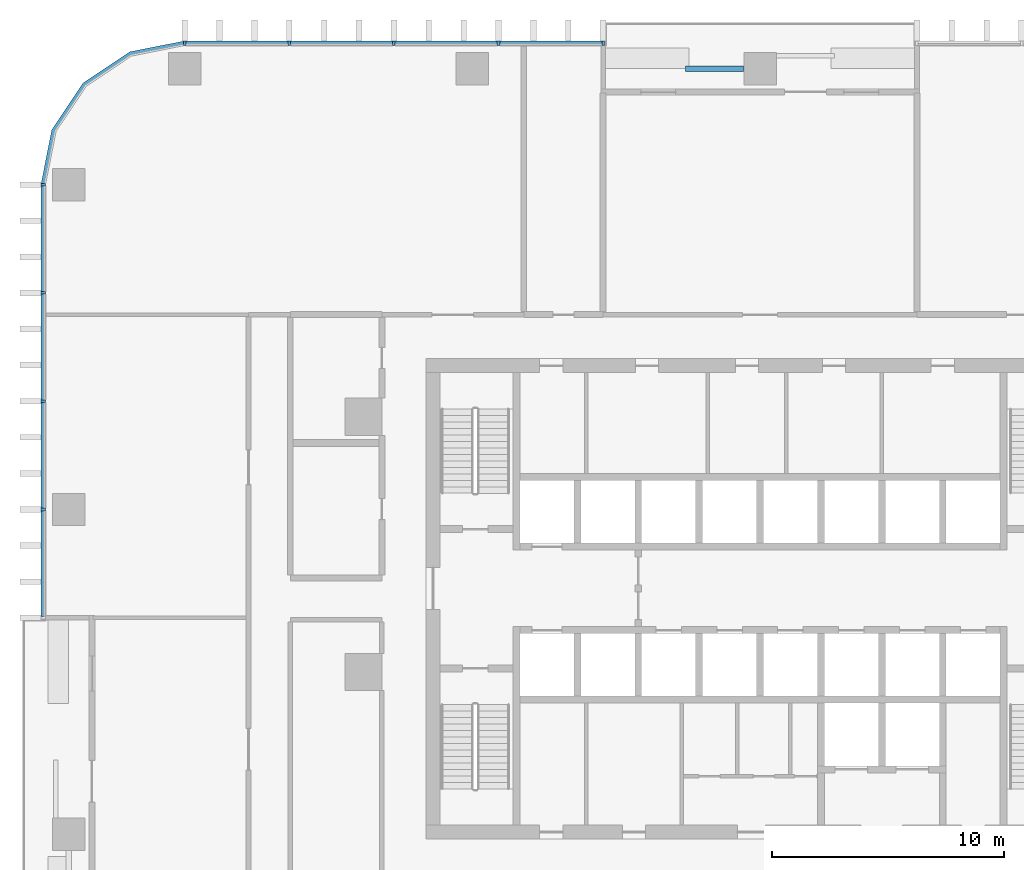
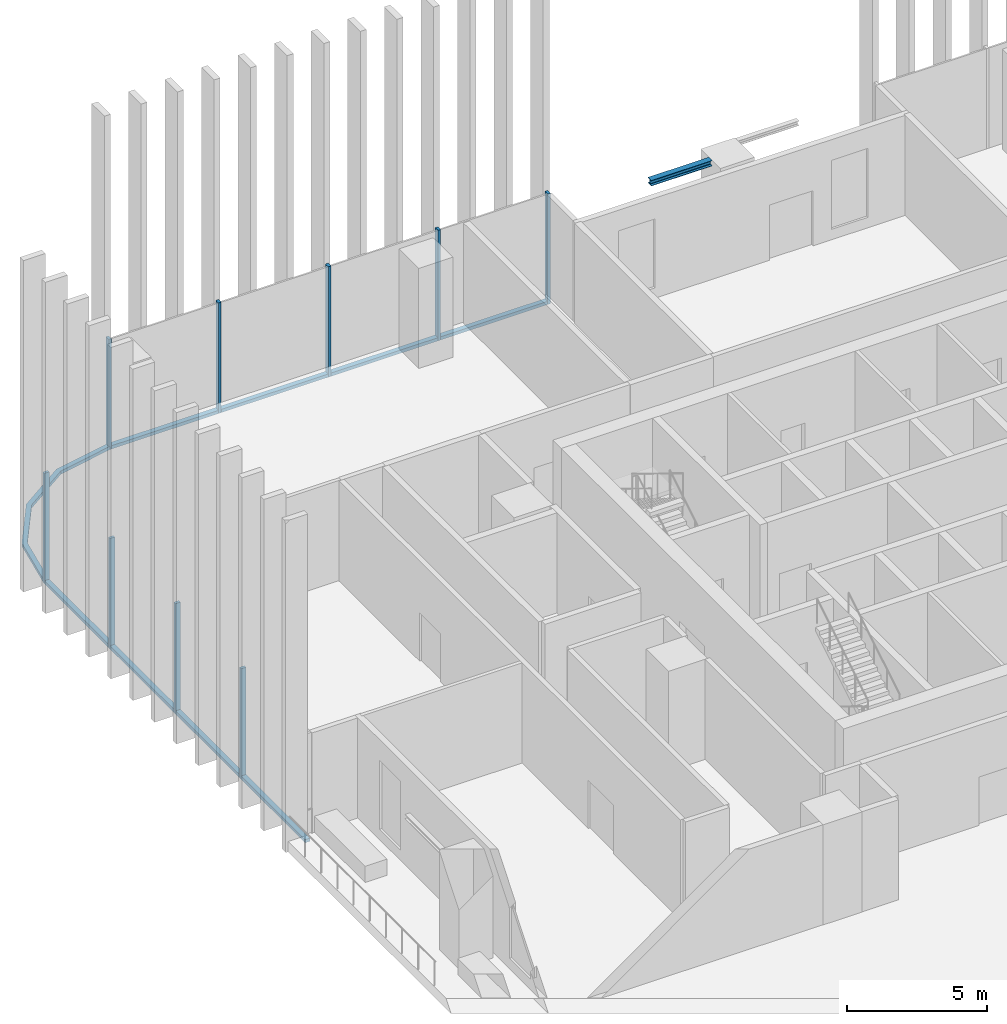
# One storey, part 4 of 17: 18 members, 1 beam, 3 elements without a shape of their own.
"""IFC4 building model written with IfcOpenShell, lengths in metres."""

from ifc_helpers import new_model, si_unit, direction, frame, origin, origin_2d, place, context, subcontext, project, spatial, polyline, rectangle, i_section, outline, extrude, material, material_profile, profile_set, type_object, element, aggregate, save


model = new_model("IFC4")

# Units and contexts
model_context = context("Model", 3, precision=1e-05, world=origin(), true_north=direction((0.0, 1.0)))
body_context = subcontext(model_context, "Body", "Model", "MODEL_VIEW")
ifc_project = project(units=[si_unit("LENGTHUNIT", "METRE"), si_unit("AREAUNIT", "SQUARE_METRE"), si_unit("VOLUMEUNIT", "CUBIC_METRE"), si_unit("PLANEANGLEUNIT", "RADIAN"), si_unit("MASSUNIT", "GRAM", prefix="KILO")], contexts=[model_context])

# Site, building, storey
site_placement = place(None, origin())
site = spatial("IfcSite", under=ifc_project, at=site_placement, CompositionType="ELEMENT")
building_placement = place(site_placement, origin())
building = spatial("IfcBuilding", under=site, at=building_placement, Name="Mopane Tessera Tower", CompositionType="ELEMENT")
storey_placement = place(building_placement, frame((0.0, 0.0, 45.39990234375)))
storey = spatial("IfcBuildingStorey", under=building, at=storey_placement, Name="L08", CompositionType="ELEMENT", Elevation=45.39990234375)

# Curtain wall, members
ifc_material_1 = material(Name="Aluminium frame", Category="aluminium")
curtain_wall_type = type_object("IfcCurtainWallType", Name="Lower tower unitised wall", PredefinedType="NOTDEFINED", material=ifc_material_1)
curtain_wall_1_placement = place(storey_placement, origin())
curtain_wall_1 = element("IfcCurtainWall", 1, at=curtain_wall_1_placement, inside=storey, type_object=curtain_wall_type, Name="e:cw:L08:N:7", PredefinedType="NOTDEFINED")
ifc_material_2 = material(Name="Aluminium frame", Category="aluminium")
ifc_material_profile_1 = material_profile(ifc_material_2, rectangle(XDim=0.110107421875, YDim=0.199951171875, at=origin_2d()))
ifc_profile_set_1 = profile_set([ifc_material_profile_1], Name="Aluminium frame")
member_type_1 = type_object("IfcMemberType", Name="Aluminium mullion 110 x 200", PredefinedType="MULLION", material=ifc_profile_set_1)
member_1_placement = place(storey_placement, frame((-6.763671875, 27.10009765625, -0.449951171875), z_axis=(0.0, 0.0, 1.0), x_axis=(-1.0, 0.0, 0.0)))
member_1 = element("IfcMember", 2, at=member_1_placement, type_object=member_type_1, Name="e:cw:L08:N:7:mu7", PredefinedType="MULLION", context=body_context, shape_type="SweptSolid", body=[
    extrude(rectangle(XDim=0.110107421875, YDim=0.199951171875, at=origin_2d()), origin(), (0.0, 0.0, 1.0), 4.800048828125),
])
member_2_placement = place(storey_placement, frame((-11.272705078125, 27.10009765625, -0.449951171875), z_axis=(0.0, 0.0, 1.0), x_axis=(-1.0, 0.0, 0.0)))
member_2 = element("IfcMember", 3, at=member_2_placement, type_object=member_type_1, Name="e:cw:L08:N:7:mu8", PredefinedType="MULLION", context=body_context, shape_type="SweptSolid", body=[
    extrude(rectangle(XDim=0.110107421875, YDim=0.199951171875, at=origin_2d()), origin(), (0.0, 0.0, 1.0), 4.800048828125),
])
member_3_placement = place(storey_placement, frame((-15.78173828125, 27.10009765625, -0.449951171875), z_axis=(0.0, 0.0, 1.0), x_axis=(-1.0, 0.0, 0.0)))
member_3 = element("IfcMember", 4, at=member_3_placement, type_object=member_type_1, Name="e:cw:L08:N:7:mu9", PredefinedType="MULLION", context=body_context, shape_type="SweptSolid", body=[
    extrude(rectangle(XDim=0.110107421875, YDim=0.199951171875, at=origin_2d()), origin(), (0.0, 0.0, 1.0), 4.800048828125),
])
member_4_placement = place(storey_placement, frame((-20.291015625, 27.10009765625, -0.449951171875), z_axis=(0.0, 0.0, 1.0), x_axis=(-1.0, 0.0, 0.0)))
member_4 = element("IfcMember", 5, at=member_4_placement, type_object=member_type_1, Name="e:cw:L08:N:7:mu10", PredefinedType="MULLION", context=body_context, shape_type="SweptSolid", body=[
    extrude(rectangle(XDim=0.110107421875, YDim=0.199951171875, at=origin_2d()), origin(), (0.0, 0.0, 1.0), 4.800048828125),
])
member_5_placement = place(storey_placement, frame((-24.800048828125, 27.10009765625, -0.449951171875), z_axis=(0.0, 0.0, 1.0), x_axis=(-1.0, 0.0, 0.0)))
member_5 = element("IfcMember", 6, at=member_5_placement, type_object=member_type_1, Name="e:cw:L08:N:7:mu11", PredefinedType="MULLION", context=body_context, shape_type="SweptSolid", body=[
    extrude(rectangle(XDim=0.110107421875, YDim=0.199951171875, at=origin_2d()), origin(), (0.0, 0.0, 1.0), 4.800048828125),
])

curtain_wall_2_placement = place(storey_placement, origin())
curtain_wall_2 = element("IfcCurtainWall", 7, at=curtain_wall_2_placement, inside=storey, type_object=curtain_wall_type, Name="e:cw:L08:W:0", PredefinedType="NOTDEFINED")
member_6_placement = place(storey_placement, frame((-30.89990234375, 21.0, -0.449951171875), z_axis=(0.0, 0.0, 1.0), x_axis=(0.0, -1.0, 0.0)))
member_6 = element("IfcMember", 8, at=member_6_placement, type_object=member_type_1, Name="e:cw:L08:W:0:mu0", PredefinedType="MULLION", context=body_context, shape_type="SweptSolid", body=[
    extrude(rectangle(XDim=0.110107421875, YDim=0.199951171875, at=origin_2d()), origin(), (0.0, 0.0, 1.0), 4.800048828125),
])
member_7_placement = place(storey_placement, frame((-30.89990234375, 16.333251953125, -0.449951171875), z_axis=(0.0, 0.0, 1.0), x_axis=(0.0, -1.0, 0.0)))
member_7 = element("IfcMember", 9, at=member_7_placement, type_object=member_type_1, Name="e:cw:L08:W:0:mu1", PredefinedType="MULLION", context=body_context, shape_type="SweptSolid", body=[
    extrude(rectangle(XDim=0.110107421875, YDim=0.199951171875, at=origin_2d()), origin(), (0.0, 0.0, 1.0), 4.800048828125),
])
member_8_placement = place(storey_placement, frame((-30.89990234375, 11.666748046875, -0.449951171875), z_axis=(0.0, 0.0, 1.0), x_axis=(0.0, -1.0, 0.0)))
member_8 = element("IfcMember", 10, at=member_8_placement, type_object=member_type_1, Name="e:cw:L08:W:0:mu2", PredefinedType="MULLION", context=body_context, shape_type="SweptSolid", body=[
    extrude(rectangle(XDim=0.110107421875, YDim=0.199951171875, at=origin_2d()), origin(), (0.0, 0.0, 1.0), 4.800048828125),
])
member_9_placement = place(storey_placement, frame((-30.89990234375, 7.0, -0.449951171875), z_axis=(0.0, 0.0, 1.0), x_axis=(0.0, -1.0, 0.0)))
member_9 = element("IfcMember", 11, at=member_9_placement, type_object=member_type_1, Name="e:cw:L08:W:0:mu3", PredefinedType="MULLION", context=body_context, shape_type="SweptSolid", body=[
    extrude(rectangle(XDim=0.110107421875, YDim=0.199951171875, at=origin_2d()), origin(), (0.0, 0.0, 1.0), 4.800048828125),
])

# Member
ifc_material_3 = material(Name="Aluminium frame", Category="aluminium")
ifc_material_profile_2 = material_profile(ifc_material_3, rectangle(XDim=0.199951171875, YDim=0.139892578125, at=origin_2d()))
ifc_profile_set_2 = profile_set([ifc_material_profile_2], Name="Aluminium frame")
member_type_2 = type_object("IfcMemberType", Name="Aluminium transom 200 x 140", PredefinedType="USERDEFINED", material=ifc_profile_set_2)
member_10_placement = place(storey_placement, frame((-6.818603515625, 27.10009765625, -0.3798828125), z_axis=(-1.0, 0.0, 0.0), x_axis=(0.0, -1.0, 0.0)))
member_10 = element("IfcMember", 12, at=member_10_placement, type_object=member_type_2, Name="e:cw:L08:N:7:tr7", ObjectType="TRANSOM", PredefinedType="USERDEFINED", context=body_context, shape_type="SweptSolid", body=[
    extrude(rectangle(XDim=0.199951171875, YDim=0.139892578125, at=origin_2d()), origin(), (0.0, 0.0, 1.0), 4.399169921875),
])

member_11_placement = place(storey_placement, frame((-11.32763671875, 27.10009765625, -0.3798828125), z_axis=(-1.0, 0.0, 0.0), x_axis=(0.0, -1.0, 0.0)))
member_11 = element("IfcMember", 13, at=member_11_placement, type_object=member_type_2, Name="e:cw:L08:N:7:tr8", ObjectType="TRANSOM", PredefinedType="USERDEFINED", context=body_context, shape_type="SweptSolid", body=[
    extrude(rectangle(XDim=0.199951171875, YDim=0.139892578125, at=origin_2d()), origin(), (0.0, 0.0, 1.0), 4.399169921875),
])

member_12_placement = place(storey_placement, frame((-15.8369140625, 27.10009765625, -0.3798828125), z_axis=(-1.0, 0.0, 0.0), x_axis=(0.0, -1.0, 0.0)))
member_12 = element("IfcMember", 14, at=member_12_placement, type_object=member_type_2, Name="e:cw:L08:N:7:tr9", ObjectType="TRANSOM", PredefinedType="USERDEFINED", context=body_context, shape_type="SweptSolid", body=[
    extrude(rectangle(XDim=0.199951171875, YDim=0.139892578125, at=origin_2d()), origin(), (0.0, 0.0, 1.0), 4.39892578125),
])

member_13_placement = place(storey_placement, frame((-20.345947265625, 27.10009765625, -0.3798828125), z_axis=(-1.0, 0.0, 0.0), x_axis=(0.0, -1.0, 0.0)))
member_13 = element("IfcMember", 15, at=member_13_placement, type_object=member_type_2, Name="e:cw:L08:N:7:tr10", ObjectType="TRANSOM", PredefinedType="USERDEFINED", context=body_context, shape_type="SweptSolid", body=[
    extrude(rectangle(XDim=0.199951171875, YDim=0.139892578125, at=origin_2d()), origin(), (0.0, 0.0, 1.0), 4.399169921875),
])

aggregate(curtain_wall_1, [member_1, member_2, member_3, member_4, member_5, member_10, member_11, member_12, member_13])

# Curtain wall, member
curtain_wall_3_placement = place(storey_placement, origin())
curtain_wall_3 = element("IfcCurtainWall", 16, at=curtain_wall_3_placement, inside=storey, type_object=curtain_wall_type, Name="e:cw:L08:CN", PredefinedType="NOTDEFINED")
member_14_placement = place(storey_placement, frame((0.0, 0.0, -0.449951171875)))
member_14 = element("IfcMember", 17, at=member_14_placement, type_object=member_type_2, Name="e:cw:L08:CN:tr", ObjectType="TRANSOM", PredefinedType="USERDEFINED", context=body_context, shape_type="SweptSolid", body=[
    extrude(outline(polyline([(-24.800048828125, 27.0), (-27.09619140625, 26.543212890625), (-29.042724609375, 25.24267578125), (-30.34326171875, 23.296142578125), (-30.800048828125, 21.0), (-31.0, 21.0), (-30.528076171875, 23.37255859375), (-29.18408203125, 25.384033203125), (-27.172607421875, 26.72802734375), (-24.800048828125, 27.199951171875), (-24.800048828125, 27.0)])), origin(), (0.0, 0.0, 1.0), 0.14013671875),
])
aggregate(curtain_wall_3, [member_14])

# Member
member_15_placement = place(storey_placement, frame((-30.89990234375, 20.945068359375, -0.3798828125), z_axis=(0.0, -1.0, 0.0), x_axis=(1.0, 0.0, 0.0)))
member_15 = element("IfcMember", 18, at=member_15_placement, type_object=member_type_2, Name="e:cw:L08:W:0:tr0", ObjectType="TRANSOM", PredefinedType="USERDEFINED", context=body_context, shape_type="SweptSolid", body=[
    extrude(rectangle(XDim=0.199951171875, YDim=0.139892578125, at=origin_2d()), origin(), (0.0, 0.0, 1.0), 4.556640625),
])

member_16_placement = place(storey_placement, frame((-30.89990234375, 16.2783203125, -0.3798828125), z_axis=(0.0, -1.0, 0.0), x_axis=(1.0, 0.0, 0.0)))
member_16 = element("IfcMember", 19, at=member_16_placement, type_object=member_type_2, Name="e:cw:L08:W:0:tr1", ObjectType="TRANSOM", PredefinedType="USERDEFINED", context=body_context, shape_type="SweptSolid", body=[
    extrude(rectangle(XDim=0.199951171875, YDim=0.139892578125, at=origin_2d()), origin(), (0.0, 0.0, 1.0), 4.556640625),
])

member_17_placement = place(storey_placement, frame((-30.89990234375, 11.611572265625, -0.3798828125), z_axis=(0.0, -1.0, 0.0), x_axis=(1.0, 0.0, 0.0)))
member_17 = element("IfcMember", 20, at=member_17_placement, type_object=member_type_2, Name="e:cw:L08:W:0:tr2", ObjectType="TRANSOM", PredefinedType="USERDEFINED", context=body_context, shape_type="SweptSolid", body=[
    extrude(rectangle(XDim=0.199951171875, YDim=0.139892578125, at=origin_2d()), origin(), (0.0, 0.0, 1.0), 4.556640625),
])

member_18_placement = place(storey_placement, frame((-30.89990234375, 6.945068359375, -0.3798828125), z_axis=(0.0, -1.0, 0.0), x_axis=(1.0, 0.0, 0.0)))
member_18 = element("IfcMember", 21, at=member_18_placement, type_object=member_type_2, Name="e:cw:L08:W:0:tr3", ObjectType="TRANSOM", PredefinedType="USERDEFINED", context=body_context, shape_type="SweptSolid", body=[
    extrude(rectangle(XDim=0.199951171875, YDim=0.139892578125, at=origin_2d()), origin(), (0.0, 0.0, 1.0), 4.556640625),
])

aggregate(curtain_wall_2, [member_6, member_7, member_8, member_9, member_15, member_16, member_17, member_18])

# Beam
ifc_material_4 = material(Name="Structural steel S460", Category="steel")
ifc_material_profile_3 = material_profile(ifc_material_4, i_section(OverallWidth=0.239990234375, OverallDepth=0.239990234375, WebThickness=0.010009765625, FlangeThickness=0.01708984375, FilletRadius=0.02099609375, at=origin_2d()))
ifc_profile_set_3 = profile_set([ifc_material_profile_3], Name="Structural steel S460")
beam_type = type_object("IfcBeamType", Name="Terrace spandrel beam HE 240 B", PredefinedType="SPANDREL", material=ifc_profile_set_3)
beam_placement = place(storey_placement, frame((-0.702880859375, 26.0, 4.22998046875), z_axis=(-1.0, 0.0, 0.0), x_axis=(0.0, -1.0, 0.0)))
element("IfcBeam", 22, at=beam_placement, inside=storey, type_object=beam_type, Name="Terrace spandrel beam N2 L09", PredefinedType="SPANDREL", context=body_context, shape_type="SweptSolid", body=[
    extrude(i_section(OverallWidth=0.239990234375, OverallDepth=0.239990234375, WebThickness=0.010009765625, FlangeThickness=0.01708984375, FilletRadius=0.02099609375, at=origin_2d()), origin(), (0.0, 0.0, 1.0), 2.5),
])

save(model, "model.ifc")
